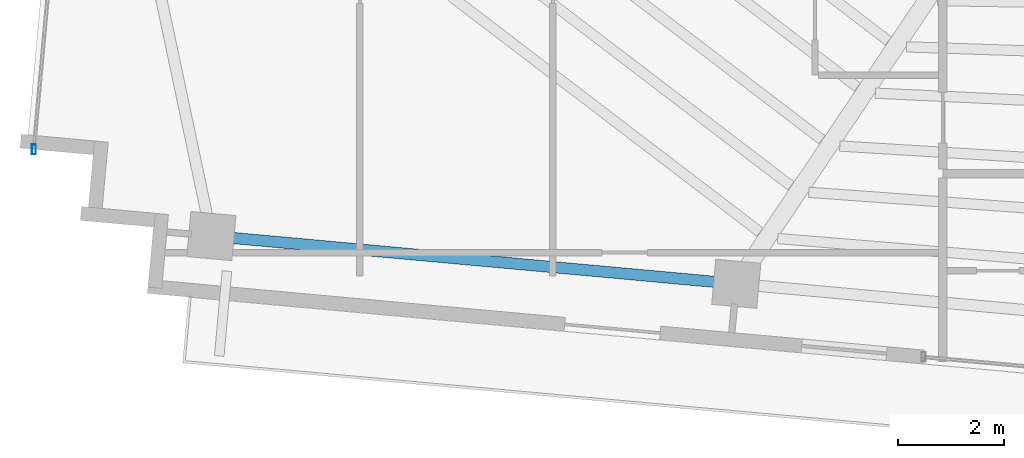
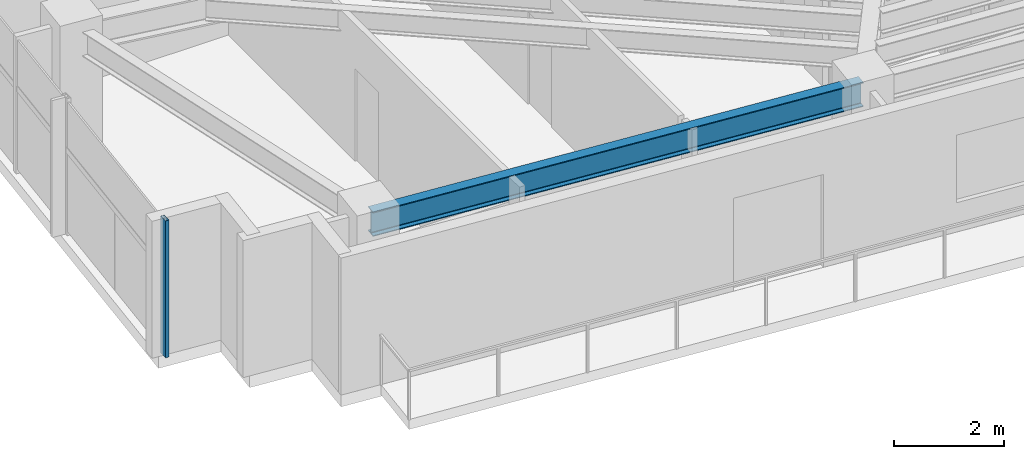
# One storey, part 2 of 22: 1 beam, 1 member, 1 element without a shape of its own.
"""IFC4 building model written with IfcOpenShell, lengths in metres."""

from ifc_helpers import new_model, si_unit, direction, frame, origin, origin_2d, place, context, subcontext, project, spatial, hollow_rectangle, i_section, extrude, source, transform, mapped, material, material_profile, profile_set, type_object, type_shapes, element, aggregate, save


model = new_model("IFC4")

# Units and contexts
model_context = context("Model", 3, precision=1e-05, world=origin(), true_north=direction((0.0, 1.0)))
body_context = subcontext(model_context, "Body", "Model", "MODEL_VIEW")
ifc_project = project(units=[si_unit("LENGTHUNIT", "METRE"), si_unit("AREAUNIT", "SQUARE_METRE"), si_unit("VOLUMEUNIT", "CUBIC_METRE"), si_unit("PLANEANGLEUNIT", "RADIAN"), si_unit("MASSUNIT", "GRAM", prefix="KILO")], contexts=[model_context])

# Site, building, storey
site_placement = place(None, origin())
site = spatial("IfcSite", under=ifc_project, at=site_placement, CompositionType="ELEMENT")
building_placement = place(site_placement, origin())
building = spatial("IfcBuilding", under=site, at=building_placement, Name="Astriad Promenade Condominiums", CompositionType="ELEMENT")
storey_placement = place(building_placement, frame((0.0, 0.0, 219.89990234375)))
storey = spatial("IfcBuildingStorey", under=building, at=storey_placement, Name="L63", CompositionType="ELEMENT", Elevation=219.89990234375)

# Beam
ifc_material_1 = material(Name="Steel ASTM A992 Grade 50", Category="steel")
ifc_material_profile_1 = material_profile(ifc_material_1, i_section(OverallWidth=0.210693359375, OverallDepth=0.53955078125, WebThickness=0.01171875, FlangeThickness=0.018798828125, FilletRadius=0.0166015625, at=origin_2d()), Name="W21X73")
ifc_profile_set_1 = profile_set([ifc_material_profile_1], Name="Steel ASTM A992 Grade 50")
beam_type = type_object("IfcBeamType", Name="STEEL SPANDREL BEAM W21X73", PredefinedType="SPANDREL", material=ifc_profile_set_1)
shared_shape_1 = source(origin(), body_context, "Body", "SweptSolid", [
    extrude(i_section(OverallWidth=0.210693359375, OverallDepth=0.53955078125, WebThickness=0.01171875, FlangeThickness=0.018798828125, FilletRadius=0.0166015625, at=origin_2d()), origin(), (0.0, 0.0, 1.0), 9.8203125),
])
type_shapes(beam_type, [shared_shape_1])
beam_placement = place(storey_placement, frame((12.421630859375, 12.102783203125, 2.7705078125), z_axis=(0.995883419264, -0.090643340822, 0.0), x_axis=(0.090643340822, 0.995883419264, 0.0)))
element("IfcBeam", 1, at=beam_placement, inside=storey, type_object=beam_type, Name="Perimeter Spandrel Beam SP-S1-L63", PredefinedType="SPANDREL", context=body_context, shape_type="MappedRepresentation", body=[
    mapped(shared_shape_1, transform((0.0, 0.0, 0.0), scale=1.0)),
])

# Curtain wall, member
ifc_material_2 = material(Name="Anodised aluminium Black Dark Glass Unitised", Category="aluminium")
curtain_wall_type = type_object("IfcCurtainWallType", Name="CW-B5-DARK", PredefinedType="USERDEFINED", material=ifc_material_2)
curtain_wall_placement = place(storey_placement, origin())
curtain_wall = element("IfcCurtainWall", 2, at=curtain_wall_placement, inside=storey, type_object=curtain_wall_type, Name="CW-L63-W", ObjectType="UNITISED_CURTAIN_WALL", PredefinedType="USERDEFINED")
ifc_material_3 = material(Name="Anodised aluminium 6063-T6 Black", Category="aluminium")
ifc_material_profile_2 = material_profile(ifc_material_3, hollow_rectangle(XDim=0.074951171875, YDim=0.18505859375, WallThickness=0.00439453125, at=origin_2d()), Name="ALU-MUL-75X185")
ifc_profile_set_2 = profile_set([ifc_material_profile_2], Name="Anodised aluminium 6063-T6 Black")
member_type = type_object("IfcMemberType", Name="MUL-ALU-MUL-75X185", PredefinedType="MULLION", material=ifc_profile_set_2)
shared_shape_2 = source(origin(), body_context, "Body", "SweptSolid", [
    extrude(hollow_rectangle(XDim=0.074951171875, YDim=0.18505859375, WallThickness=0.00439453125, at=origin_2d()), origin(), (0.0, 0.0, 1.0), 3.0400390625),
])
type_shapes(member_type, [shared_shape_2])
member_placement = place(storey_placement, frame((9.0458984375, 13.7353515625, 0.0), z_axis=(0.0, 0.0, 1.0), x_axis=(1.0, 0.0, 0.0)))
member = element("IfcMember", 3, at=member_placement, type_object=member_type, Name="CW-L63-W-MUL-00", PredefinedType="MULLION", context=body_context, shape_type="MappedRepresentation", body=[
    mapped(shared_shape_2, transform((0.0, 0.0, 0.0), scale=1.0)),
])
aggregate(curtain_wall, [member])

save(model, "model.ifc")
